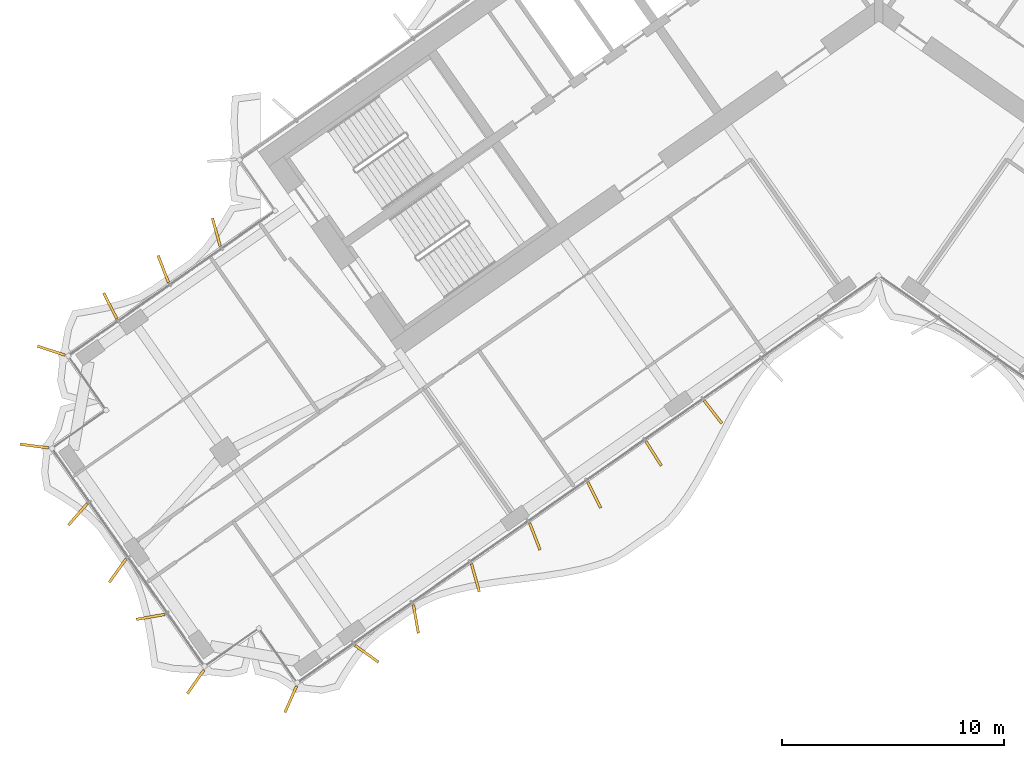
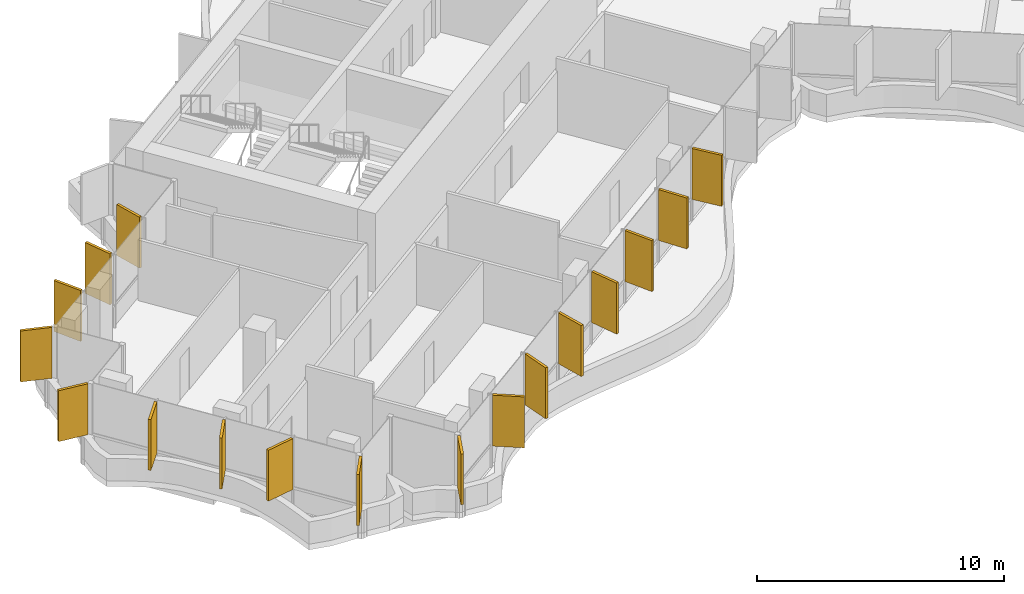
# One storey, part 19 of 23: 17 shading devices.
"""IFC4 building model written with IfcOpenShell, lengths in metres."""

from ifc_helpers import new_model, si_unit, direction, frame, origin, origin_2d, place, context, subcontext, project, spatial, rectangle, extrude, material, layer, layer_set, type_object, element, save


model = new_model("IFC4")

# Units and contexts
model_context = context("Model", 3, precision=1e-05, world=origin(), true_north=direction((0.0, 1.0)))
body_context = subcontext(model_context, "Body", "Model", "MODEL_VIEW")
ifc_project = project(units=[si_unit("LENGTHUNIT", "METRE"), si_unit("AREAUNIT", "SQUARE_METRE"), si_unit("VOLUMEUNIT", "CUBIC_METRE"), si_unit("PLANEANGLEUNIT", "RADIAN"), si_unit("MASSUNIT", "GRAM", prefix="KILO")], contexts=[model_context])

# Site, building, storey
site_placement = place(None, origin())
site = spatial("IfcSite", under=ifc_project, at=site_placement, CompositionType="ELEMENT")
building_placement = place(site_placement, origin())
building = spatial("IfcBuilding", under=site, at=building_placement, Name="Tel Ilan Convention Tower", CompositionType="ELEMENT")
storey_placement = place(building_placement, frame((0.0, 0.0, 186.60009765625)))
storey = spatial("IfcBuildingStorey", under=building, at=storey_placement, Name="L43", CompositionType="ELEMENT", Elevation=186.60009765625)

# Shading devices
ifc_material = material(Name="Aluminium, bronze anodised", Category="aluminium")
ifc_layer = layer(ifc_material, 0.1201171875)
ifc_layer_set = layer_set([ifc_layer], Name="FIN BRONZE 1300x120")
shading_device_type = type_object("IfcShadingDeviceType", Name="FIN BRONZE 1300x120", PredefinedType="USERDEFINED", material=ifc_layer_set)
for number, where, z_axis, x_axis, name in (
    (1, (-29.872802734375, -10.7451171875, 1.099853515625), (0.0, 0.0, 1.0), (-0.268172612768, 0.963370878614, 0.0), "FIN"),
    (2, (-32.26416015625, -12.404296875, 1.099853515625), (0.0, 0.0, 1.0), (-0.360177724803, 0.932883704733, 0.0), "FIN"),
    (3, (-34.653076171875, -14.069091796875, 1.099853515625), (0.0, 0.0, 1.0), (-0.448799180206, 0.893632640321, 0.0), "FIN"),
    (4, (-37.316162109375, -16.08544921875, 1.099853515625), (0.0, 0.0, 1.0), (-0.949242643575, 0.314544756146, 0.0), "FIN"),
    (5, (-38.074951171875, -20.387451171875, 1.099853515625), (0.0, 0.0, 1.0), (-0.992066016082, 0.125718016748, 0.0), "FIN"),
    (6, (-36.1171875, -23.4658203125, 1.099853515625), (0.0, 0.0, 1.0), (-0.657521368568, -0.753435896329, 0.0), "FIN"),
    (7, (-34.322998046875, -26.00634765625, 1.099853515625), (0.0, 0.0, 1.0), (-0.581492071294, -0.813552070258, 0.0), "FIN"),
    (8, (-32.840087890625, -28.092041015625, 1.099853515625), (0.0, 0.0, 1.0), (-0.984807753012, -0.173648177667, 0.0), "FIN"),
    (9, (-30.807373046875, -31.020263671875, 1.099853515625), (0.0, 0.0, 1.0), (-0.573576436351, -0.819152044289, 0.0), "FIN"),
    (10, (-26.517578125, -31.80810546875, 1.099853515625), (0.0, 0.0, 1.0), (-0.404964282034, -0.914332505315, 0.0), "FIN"),
    (11, (-23.0869140625, -29.755859375, 1.099853515625), (0.0, 0.0, 1.0), (0.813552070258, -0.581492071294, 0.0), "FIN"),
    (12, (-20.87451171875, -28.18408203125, 1.099853515625), (0.0, 0.0, 1.0), (0.173648177667, -0.984807753012, 0.0), "FIN"),
    (13, (-18.19091796875, -26.32763671875, 1.099853515625), (0.0, 0.0, 1.0), (0.268172612768, -0.963370878614, 0.0), "FIN"),
    (14, (-15.509033203125, -24.465087890625, 1.099853515625), (0.0, 0.0, 1.0), (0.360177724803, -0.932883704733, 0.0), "FIN"),
    (15, (-12.82958984375, -22.5966796875, 1.099853515625), (0.0, 0.0, 1.0), (0.448799180206, -0.893632640321, 0.0), "FIN"),
    (16, (-10.15283203125, -20.72265625, 1.099853515625), (0.0, 0.0, 1.0), (0.533204432798, -0.845986425922, 0.0), "FIN"),
    (17, (-7.47607421875, -18.848388671875, 1.099853515625), (0.0, 0.0, 1.0), (0.612600545196, -0.790392669516, 0.0), "FIN"),
):
    element("IfcShadingDevice", number, at=place(storey_placement, frame(where, z_axis=z_axis, x_axis=x_axis)), inside=storey, type_object=shading_device_type, Name=name, ObjectType="FIN", PredefinedType="USERDEFINED", context=body_context, shape_type="SweptSolid", body=[
        extrude(rectangle(XDim=1.300048828125, YDim=0.1201171875, at=origin_2d()), origin(), (0.0, 0.0, 1.0), 2.52001953125),
    ])

save(model, "model.ifc")
